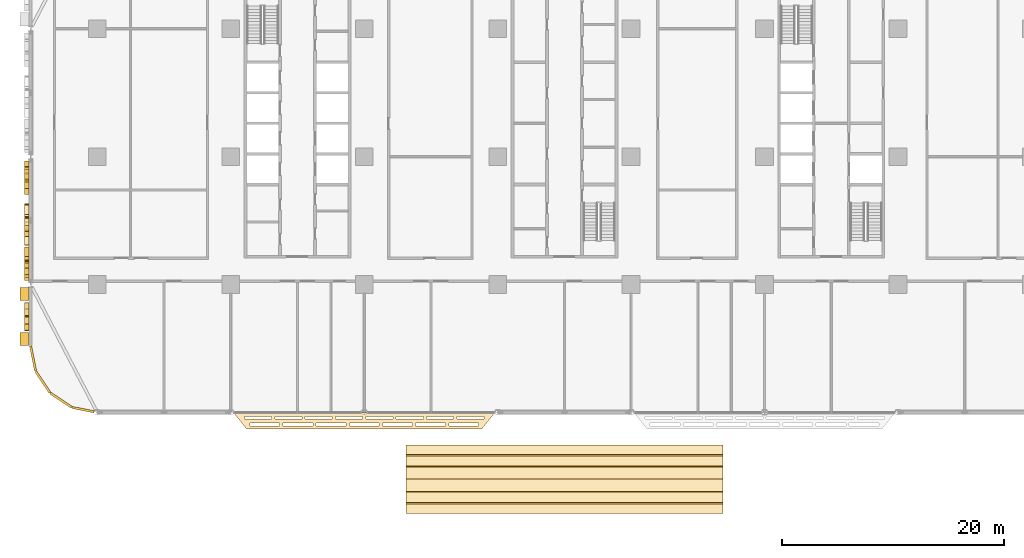
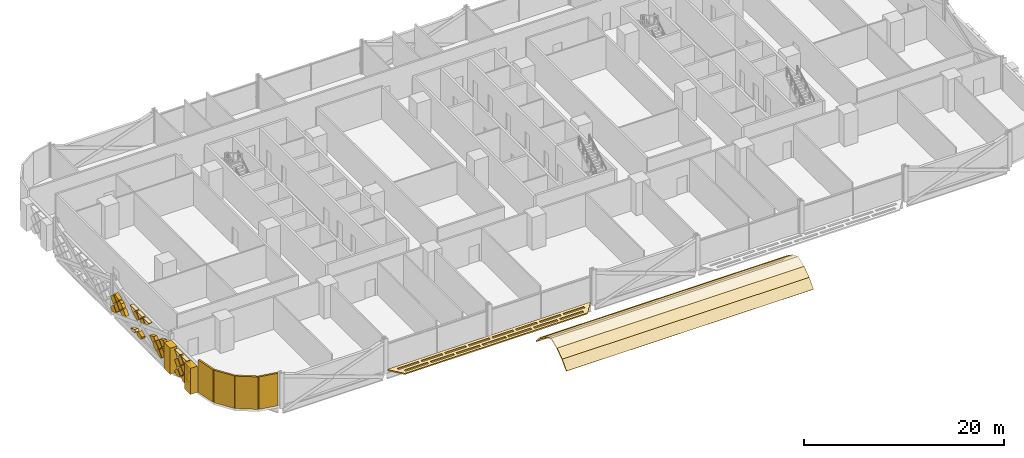
# One storey, part 21 of 26: 42 coverings.
"""IFC4 building model written with IfcOpenShell, lengths in metres."""

from ifc_helpers import new_model, si_unit, direction, frame, origin, origin_2d, place, context, subcontext, project, spatial, polyline, rectangle, outline, extrude, material, layer, layer_set, type_object, element, save


model = new_model("IFC4")

# Units and contexts
model_context = context("Model", 3, precision=1e-05, world=origin(), true_north=direction((0.0, 1.0)))
body_context = subcontext(model_context, "Body", "Model", "MODEL_VIEW")
ifc_project = project(units=[si_unit("LENGTHUNIT", "METRE"), si_unit("AREAUNIT", "SQUARE_METRE"), si_unit("VOLUMEUNIT", "CUBIC_METRE"), si_unit("PLANEANGLEUNIT", "RADIAN"), si_unit("MASSUNIT", "GRAM", prefix="KILO")], contexts=[model_context])

# Site, building, storey
site_placement = place(None, origin())
site = spatial("IfcSite", under=ifc_project, at=site_placement, CompositionType="ELEMENT")
building_placement = place(site_placement, origin())
building = spatial("IfcBuilding", under=site, at=building_placement, Name="Mahtab Terrace Research Tower", CompositionType="ELEMENT")
storey_placement = place(building_placement, frame((0.0, 0.0, 15.800048828125)))
storey = spatial("IfcBuildingStorey", under=building, at=storey_placement, Name="L03", CompositionType="ELEMENT", Elevation=15.800048828125)

# Coverings
ifc_material_1 = material(Name="Black aluminium cladding panel", Category="aluminium")
ifc_layer_1 = layer(ifc_material_1, 0.199951171875)
ifc_layer_set_1 = layer_set([ifc_layer_1], Name="Black metal corner cladding 200")
covering_type_1 = type_object("IfcCoveringType", Name="Black metal corner cladding 200", PredefinedType="CLADDING", material=ifc_layer_set_1)
for number, where, z_axis, x_axis, name in (
    (1, (-47.771484375, -18.14794921875, 0.0), (0.0, 0.0, 1.0), (0.195212442692, -0.980760981187, 0.0), "Corner cladding L03 18"),
    (2, (-46.89306640625, -20.26953125, 0.0), (0.0, 0.0, 1.0), (0.555291490808, -0.831655794326, 0.0), "Corner cladding L03 19"),
    (3, (-45.26953125, -21.89306640625, 0.0), (0.0, 0.0, 1.0), (0.831655794326, -0.555291490808, 0.0), "Corner cladding L03 20"),
):
    element("IfcCovering", number, at=place(storey_placement, frame(where, z_axis=z_axis, x_axis=x_axis)), inside=storey, type_object=covering_type_1, Name=name, PredefinedType="CLADDING", context=body_context, shape_type="SweptSolid", body=[
        extrude(rectangle(XDim=2.30126953125, YDim=0.199951171875, at=origin_2d()), origin(), (0.0, 0.0, 1.0), 3.9599609375),
    ])
covering_1_placement = place(storey_placement, frame((-43.28173828125, -22.744873046875, 0.0), z_axis=(0.0, 0.0, 1.0), x_axis=(0.980760981187, -0.195212442692, 0.0)))
element("IfcCovering", 4, at=covering_1_placement, inside=storey, type_object=covering_type_1, Name="Corner cladding L03 21", PredefinedType="CLADDING", context=body_context, shape_type="SweptSolid", body=[
    extrude(rectangle(XDim=2.0283203125, YDim=0.199951171875, at=origin_2d()), origin(), (0.0, 0.0, 1.0), 3.9599609375),
])
ifc_material_2 = material(Name="Black anodised aluminium", Category="aluminium")
ifc_layer_2 = layer(ifc_material_2, 0.14990234375)
ifc_layer_set_2 = layer_set([ifc_layer_2], Name="Horizontal sunshade band")
covering_type_2 = type_object("IfcCoveringType", Name="Horizontal sunshade band", PredefinedType="CLADDING", material=ifc_layer_set_2)
covering_2_placement = place(storey_placement, frame((0.0, 0.0, -0.150146484375)))
element("IfcCovering", 5, at=covering_2_placement, inside=storey, type_object=covering_type_2, Name="Sunshade band L03 23", PredefinedType="CLADDING", context=body_context, shape_type="SweptSolid", body=[
    extrude(outline(polyline([(-29.7509765625, -23.0), (-6.2490234375, -23.0), (-7.448974609375, -24.5), (-28.551025390625, -24.5), (-29.7509765625, -23.0)]), holes=[polyline([(-28.77099609375, -23.35009765625), (-26.341064453125, -23.35009765625), (-26.341064453125, -23.60009765625), (-28.77099609375, -23.60009765625), (-28.77099609375, -23.35009765625)]), polyline([(-26.041015625, -23.35009765625), (-23.611083984375, -23.35009765625), (-23.611083984375, -23.60009765625), (-26.041015625, -23.60009765625), (-26.041015625, -23.35009765625)]), polyline([(-23.31103515625, -23.35009765625), (-20.8798828125, -23.35009765625), (-20.8798828125, -23.60009765625), (-23.31103515625, -23.60009765625), (-23.31103515625, -23.35009765625)]), polyline([(-20.580078125, -23.35009765625), (-18.14990234375, -23.35009765625), (-18.14990234375, -23.60009765625), (-20.580078125, -23.60009765625), (-20.580078125, -23.35009765625)]), polyline([(-17.85009765625, -23.35009765625), (-15.419921875, -23.35009765625), (-15.419921875, -23.60009765625), (-17.85009765625, -23.60009765625), (-17.85009765625, -23.35009765625)]), polyline([(-15.1201171875, -23.35009765625), (-12.68994140625, -23.35009765625), (-12.68994140625, -23.60009765625), (-15.1201171875, -23.60009765625), (-15.1201171875, -23.35009765625)]), polyline([(-12.389892578125, -23.35009765625), (-9.958984375, -23.35009765625), (-9.958984375, -23.60009765625), (-12.389892578125, -23.60009765625), (-12.389892578125, -23.35009765625)]), polyline([(-9.658935546875, -23.35009765625), (-7.22900390625, -23.35009765625), (-7.22900390625, -23.60009765625), (-9.658935546875, -23.60009765625), (-9.658935546875, -23.35009765625)]), polyline([(-28.291015625, -23.949951171875), (-25.60791015625, -23.949951171875), (-25.60791015625, -24.199951171875), (-28.291015625, -24.199951171875), (-28.291015625, -23.949951171875)]), polyline([(-25.30810546875, -23.949951171875), (-22.625, -23.949951171875), (-22.625, -24.199951171875), (-25.30810546875, -24.199951171875), (-25.30810546875, -23.949951171875)]), polyline([(-22.324951171875, -23.949951171875), (-19.64208984375, -23.949951171875), (-19.64208984375, -24.199951171875), (-22.324951171875, -24.199951171875), (-22.324951171875, -23.949951171875)]), polyline([(-19.342041015625, -23.949951171875), (-16.657958984375, -23.949951171875), (-16.657958984375, -24.199951171875), (-19.342041015625, -24.199951171875), (-19.342041015625, -23.949951171875)]), polyline([(-16.35791015625, -23.949951171875), (-13.675048828125, -23.949951171875), (-13.675048828125, -24.199951171875), (-16.35791015625, -24.199951171875), (-16.35791015625, -23.949951171875)]), polyline([(-13.375, -23.949951171875), (-10.69189453125, -23.949951171875), (-10.69189453125, -24.199951171875), (-13.375, -24.199951171875), (-13.375, -23.949951171875)]), polyline([(-10.39208984375, -23.949951171875), (-7.708984375, -23.949951171875), (-7.708984375, -24.199951171875), (-10.39208984375, -24.199951171875), (-10.39208984375, -23.949951171875)])]), origin(), (0.0, 0.0, 1.0), 0.150146484375),
])
ifc_material_3 = material(Name="Bronze anodised aluminium", Category="aluminium")
ifc_layer_3 = layer(ifc_material_3, 0.39990234375)
ifc_layer_set_3 = layer_set([ifc_layer_3], Name="Mashrabiya relief panel 400")
covering_type_3 = type_object("IfcCoveringType", Name="Mashrabiya relief panel 400", PredefinedType="CLADDING", material=ifc_layer_set_3)
covering_3_placement = place(storey_placement, frame((-48.14990234375, -0.384033203125, 0.385009765625), z_axis=(1.0, 0.0, 0.0), x_axis=(0.0, 0.0, 1.0)))
element("IfcCovering", 6, at=covering_3_placement, inside=storey, type_object=covering_type_3, Name="Mashrabiya lattice cell L03 W16.1", PredefinedType="CLADDING", context=body_context, shape_type="SweptSolid", body=[
    extrude(outline(polyline([(0.0, 0.0), (0.1298828125, 0.0), (0.64501953125, 0.514892578125), (0.06494140625, 1.094970703125), (0.0, 1.030029296875), (-0.25, 0.362060546875), (-0.25, 0.25), (0.0, 0.0)])), origin(), (0.0, 0.0, -1.0), 0.39990234375),
])
covering_4_placement = place(storey_placement, frame((-48.14990234375, -0.89892578125, 2.329833984375), z_axis=(1.0, 0.0, 0.0), x_axis=(0.0, -0.707255598772, -0.706957932274)))
element("IfcCovering", 7, at=covering_4_placement, inside=storey, type_object=covering_type_3, Name="Mashrabiya lattice cell L03 W16.2", PredefinedType="CLADDING", context=body_context, shape_type="SweptSolid", body=[
    extrude(outline(polyline([(0.0, 0.0), (0.8201817362875763, 0.0), (0.8200090664636573, 0.8203543334390104), (0.0916684182924955, 0.820028397344618), (-0.0001532662704735177, 0.7281680510197277), (0.0, 0.0)])), origin(), (0.0, 0.0, -1.0), 0.39990234375),
])
covering_5_placement = place(storey_placement, frame((-48.14990234375, -1.549072265625, 1.679931640625), z_axis=(1.0, 0.0, 0.0), x_axis=(0.0, -0.706957932274, -0.707255598772)))
element("IfcCovering", 8, at=covering_5_placement, inside=storey, type_object=covering_type_3, Name="Mashrabiya lattice cell L03 W16.3", PredefinedType="CLADDING", context=body_context, shape_type="SweptSolid", body=[
    extrude(outline(polyline([(0.0, 0.0), (0.8201817362875763, 0.0), (0.8203543334390104, 0.8200090664636573), (0.00017266982391900276, 0.8203543334390104), (0.0, 0.0)])), origin(), (0.0, 0.0, -1.0), 0.39990234375),
])
covering_6_placement = place(storey_placement, frame((-48.14990234375, -1.549072265625, 1.820068359375), z_axis=(1.0, 0.0, 0.0), x_axis=(0.0, 0.707255598772, 0.706957932274)))
element("IfcCovering", 9, at=covering_6_placement, inside=storey, type_object=covering_type_3, Name="Mashrabiya lattice cell L03 W16.4", PredefinedType="CLADDING", context=body_context, shape_type="SweptSolid", body=[
    extrude(outline(polyline([(0.0, 0.0), (0.8201817362875763, 0.0), (0.8201287580461467, 0.2516996250324237), (-0.00013153719751402004, 0.6249332253891452), (0.0, 0.0)])), origin(), (0.0, 0.0, -1.0), 0.39990234375),
])
covering_7_placement = place(storey_placement, frame((-48.14990234375, -2.779052734375, 1.75), z_axis=(1.0, 0.0, 0.0), x_axis=(0.0, 0.707106781187, -0.707106781187)))
element("IfcCovering", 10, at=covering_7_placement, inside=storey, type_object=covering_type_3, Name="Mashrabiya lattice cell L03 W16.5", PredefinedType="CLADDING", context=body_context, shape_type="SweptSolid", body=[
    extrude(outline(polyline([(0.0, 0.0), (0.8203543516109556, 0.0), (0.8203543516109556, 0.8203543516109556), (0.1500185041140405, 0.820181718119455), (0.00017263349150062335, 0.49217808426827325), (0.0, 0.0)])), origin(), (0.0, 0.0, -1.0), 0.39990234375),
])
covering_8_placement = place(storey_placement, frame((-48.14990234375, -2.26904296875, 1.099853515625), z_axis=(1.0, 0.0, 0.0), x_axis=(0.0, -0.707106781187, 0.707106781187)))
element("IfcCovering", 11, at=covering_8_placement, inside=storey, type_object=covering_type_3, Name="Mashrabiya lattice cell L03 W16.6", PredefinedType="CLADDING", context=body_context, shape_type="SweptSolid", body=[
    extrude(outline(polyline([(0.0, 0.0), (0.8203543516109556, 0.0), (0.820181718119455, 0.7804760150743119), (0.0, 0.4070697729584666), (0.0, 0.0)])), origin(), (0.0, 0.0, -1.0), 0.39990234375),
])
covering_9_placement = place(storey_placement, frame((-48.14990234375, -4.339111328125, 0.329833984375), z_axis=(1.0, 0.0, 0.0), x_axis=(0.0, -0.936939642646, 0.349491210244)))
element("IfcCovering", 12, at=covering_9_placement, inside=storey, type_object=covering_type_3, Name="Mashrabiya lattice cell L03 W16.7", PredefinedType="CLADDING", context=body_context, shape_type="SweptSolid", body=[
    extrude(outline(polyline([(0.0, 0.0), (0.9018411268612947, 0.0), (1.0162049837573561, 0.2508566309202513), (0.6110546419046019, 0.4358684663201832), (0.11444918189856254, 0.2506278858903084), (0.0, 0.0)])), origin(), (0.0, 0.0, -1.0), 0.39990234375),
])
covering_10_placement = place(storey_placement, frame((-48.14990234375, -5.37890625, 3.050048828125), z_axis=(1.0, 0.0, 0.0), x_axis=(0.0, 0.706957932274, -0.707255598772)))
element("IfcCovering", 13, at=covering_10_placement, inside=storey, type_object=covering_type_3, Name="Mashrabiya lattice cell L03 W16.8", PredefinedType="CLADDING", context=body_context, shape_type="SweptSolid", body=[
    extrude(outline(polyline([(0.0, 0.0), (0.8201817362875763, 0.0), (0.8200090664636573, 0.8203543334390104), (0.7946319801114454, 0.8201763585237), (-5.30509139145055e-06, 0.02520448920077768), (0.0, 0.0)])), origin(), (0.0, 0.0, -1.0), 0.39990234375),
])
covering_11_placement = place(storey_placement, frame((-48.14990234375, -4.868896484375, 2.39990234375), z_axis=(1.0, 0.0, 0.0), x_axis=(0.0, -0.707106781187, 0.707106781187)))
element("IfcCovering", 14, at=covering_11_placement, inside=storey, type_object=covering_type_3, Name="Mashrabiya lattice cell L03 W16.9", PredefinedType="CLADDING", context=body_context, shape_type="SweptSolid", body=[
    extrude(outline(polyline([(0.0, 0.0), (0.8203543516109556, 0.0), (0.8203543516109556, 0.8203543516109556), (0.30694234788810587, 0.8203543516109555), (0.0, 0.14570266682652494), (0.0, 0.0)])), origin(), (0.0, 0.0, -1.0), 0.39990234375),
])
covering_12_placement = place(storey_placement, frame((-48.14990234375, -5.51904296875, 0.449951171875), z_axis=(1.0, 0.0, 0.0), x_axis=(0.0, -0.707106781187, 0.707106781187)))
element("IfcCovering", 15, at=covering_12_placement, inside=storey, type_object=covering_type_3, Name="Mashrabiya lattice cell L03 W16.10", PredefinedType="CLADDING", context=body_context, shape_type="SweptSolid", body=[
    extrude(outline(polyline([(0.0, 0.0), (0.5075424650118285, 0.0), (0.820181718119455, 0.685872861731971), (0.820181718119455, 0.820181718119455), (0.3747873100478503, 0.8201817181194551), (0.0, 0.4453944080716047), (0.0, 0.0)])), origin(), (0.0, 0.0, -1.0), 0.39990234375),
])
covering_13_placement = place(storey_placement, frame((-48.14990234375, -6.678955078125, 3.050048828125), z_axis=(1.0, 0.0, 0.0), x_axis=(0.0, 0.706957932274, -0.707255598772)))
element("IfcCovering", 16, at=covering_13_placement, inside=storey, type_object=covering_type_3, Name="Mashrabiya lattice cell L03 W16.11", PredefinedType="CLADDING", context=body_context, shape_type="SweptSolid", body=[
    extrude(outline(polyline([(0.0, 0.0), (0.8201817362875763, 0.0), (0.8200090664636573, 0.8203543334390104), (0.7946319801114454, 0.8201763585237), (0.00016729206004270115, 0.025377159024696644), (0.0, 0.0)])), origin(), (0.0, 0.0, -1.0), 0.39990234375),
])
covering_14_placement = place(storey_placement, frame((-48.14990234375, -6.1689453125, 2.39990234375), z_axis=(1.0, 0.0, 0.0), x_axis=(0.0, -0.707106781187, 0.707106781187)))
element("IfcCovering", 17, at=covering_14_placement, inside=storey, type_object=covering_type_3, Name="Mashrabiya lattice cell L03 W16.12", PredefinedType="CLADDING", context=body_context, shape_type="SweptSolid", body=[
    extrude(outline(polyline([(0.0, 0.0), (0.8203543516109556, 0.0), (0.8203543516109556, 0.6180278995722267), (0.00017263349150062335, 0.24462165745638131), (0.0, 0.0)])), origin(), (0.0, 0.0, -1.0), 0.39990234375),
])
covering_15_placement = place(storey_placement, frame((-48.14990234375, -6.819091796875, 3.050048828125), z_axis=(1.0, 0.0, 0.0), x_axis=(0.0, -0.707106781187, 0.707106781187)))
element("IfcCovering", 18, at=covering_15_placement, inside=storey, type_object=covering_type_3, Name="Mashrabiya lattice cell L03 W16.13", PredefinedType="CLADDING", context=body_context, shape_type="SweptSolid", body=[
    extrude(outline(polyline([(0.0, 0.0), (0.025204489759090808, 0.0), (0.8200090846279544, 0.7948045948688636), (0.820181718119455, 0.820181718119455), (0.3449217160182427, 0.8203543516109555), (0.0, 0.6632578743453896), (0.0, 0.0)])), origin(), (0.0, 0.0, -1.0), 0.39990234375),
])
covering_16_placement = place(storey_placement, frame((-48.14990234375, -9.279052734375, 1.75), z_axis=(1.0, 0.0, 0.0), x_axis=(0.0, 0.707106781187, -0.707106781187)))
element("IfcCovering", 19, at=covering_16_placement, inside=storey, type_object=covering_type_3, Name="Mashrabiya lattice cell L03 W16.14", PredefinedType="CLADDING", context=body_context, shape_type="SweptSolid", body=[
    extrude(outline(polyline([(0.0, 0.0), (0.8203543516109556, 0.0), (0.8203543516109555, 0.8131037449679295), (0.0, 0.4384890684115798), (0.0, 0.0)])), origin(), (0.0, 0.0, -1.0), 0.39990234375),
])
covering_17_placement = place(storey_placement, frame((-48.14990234375, -8.76904296875, 1.099853515625), z_axis=(1.0, 0.0, 0.0), x_axis=(0.0, -0.707106781187, 0.707106781187)))
element("IfcCovering", 20, at=covering_17_placement, inside=storey, type_object=covering_type_3, Name="Mashrabiya lattice cell L03 W16.15", PredefinedType="CLADDING", context=body_context, shape_type="SweptSolid", body=[
    extrude(outline(polyline([(0.0, 0.0), (0.8203543516109556, 0.0), (0.820181718119455, 0.820181718119455), (0.14432159889451995, 0.8200090846279544), (0.0, 0.5033992612158137), (0.0, 0.0)])), origin(), (0.0, 0.0, -1.0), 0.39990234375),
])
covering_18_placement = place(storey_placement, frame((-48.14990234375, -9.9990234375, 1.030029296875), z_axis=(1.0, 0.0, 0.0), x_axis=(0.0, -0.707106781187, -0.707106781187)))
element("IfcCovering", 21, at=covering_18_placement, inside=storey, type_object=covering_type_3, Name="Mashrabiya lattice cell L03 W16.16", PredefinedType="CLADDING", context=body_context, shape_type="SweptSolid", body=[
    extrude(outline(polyline([(0.0, 0.0), (0.8203543516109556, 0.0), (0.820181718119455, 0.2573965358274274), (0.0, 0.6308027779432727), (0.0, 0.0)])), origin(), (0.0, 0.0, -1.0), 0.39990234375),
])
covering_19_placement = place(storey_placement, frame((-48.14990234375, -9.9990234375, 2.329833984375), z_axis=(1.0, 0.0, 0.0), x_axis=(0.0, -0.707255598772, -0.706957932274)))
element("IfcCovering", 22, at=covering_19_placement, inside=storey, type_object=covering_type_3, Name="Mashrabiya lattice cell L03 W16.17", PredefinedType="CLADDING", context=body_context, shape_type="SweptSolid", body=[
    extrude(outline(polyline([(0.0, 0.0), (0.8201817362875763, 0.0), (0.8200090664636573, 0.8203543334390104), (-0.0003452669753531423, 0.8201816636150915), (0.0, 0.0)])), origin(), (0.0, 0.0, -1.0), 0.39990234375),
])
covering_20_placement = place(storey_placement, frame((-48.14990234375, -10.64892578125, 0.52001953125), z_axis=(1.0, 0.0, 0.0), x_axis=(0.0, 0.707106781187, 0.707106781187)))
element("IfcCovering", 23, at=covering_20_placement, inside=storey, type_object=covering_type_3, Name="Mashrabiya lattice cell L03 W16.18", PredefinedType="CLADDING", context=body_context, shape_type="SweptSolid", body=[
    extrude(outline(polyline([(0.0, 0.0), (0.8200090846279543, 0.0), (0.820181718119455, 0.820181718119455), (0.1596859796380753, 0.820181718119455), (0.0, 0.6604957384813797), (0.0, 0.0)])), origin(), (0.0, 0.0, -1.0), 0.39990234375),
])
covering_21_placement = place(storey_placement, frame((-48.14990234375, -10.64892578125, 1.820068359375), z_axis=(1.0, 0.0, 0.0), x_axis=(0.0, 0.707106781187, 0.707106781187)))
element("IfcCovering", 24, at=covering_21_placement, inside=storey, type_object=covering_type_3, Name="Mashrabiya lattice cell L03 W16.19", PredefinedType="CLADDING", context=body_context, shape_type="SweptSolid", body=[
    extrude(outline(polyline([(0.0, 0.0), (0.8200090846279543, 0.0), (0.8200090846279544, 0.16262074899358586), (0.5203173433828746, 0.8203543516109556), (0.1596859796380753, 0.820181718119455), (-0.0001726334915006511, 0.660323104989879), (0.0, 0.0)])), origin(), (0.0, 0.0, -1.0), 0.39990234375),
])
covering_22_placement = place(storey_placement, frame((-48.14990234375, -13.118896484375, 0.449951171875), z_axis=(1.0, 0.0, 0.0), x_axis=(0.0, -0.707106781187, 0.707106781187)))
element("IfcCovering", 25, at=covering_22_placement, inside=storey, type_object=covering_type_3, Name="Mashrabiya lattice cell L03 W17.1", PredefinedType="CLADDING", context=body_context, shape_type="SweptSolid", body=[
    extrude(outline(polyline([(0.0, 0.0), (0.8203543516109556, 0.0), (0.8203543516109556, 0.8203543516109556), (0.37495994353935086, 0.8203543516109555), (0.00017263349150062335, 0.44556704156310534), (0.0, 0.0)])), origin(), (0.0, 0.0, -1.0), 0.39990234375),
])
covering_23_placement = place(storey_placement, frame((-48.14990234375, -13.698974609375, 2.329833984375), z_axis=(1.0, 0.0, 0.0), x_axis=(0.0, -0.707255598772, -0.706957932274)))
element("IfcCovering", 26, at=covering_23_placement, inside=storey, type_object=covering_type_3, Name="Mashrabiya lattice cell L03 W17.2", PredefinedType="CLADDING", context=body_context, shape_type="SweptSolid", body=[
    extrude(outline(polyline([(0.0, 0.0), (0.8201817362875763, 0.0), (0.8200090664636573, 0.8203543334390104), (-0.0003452669753531423, 0.8201816636150915), (0.0, 0.0)])), origin(), (0.0, 0.0, -1.0), 0.39990234375),
])
covering_24_placement = place(storey_placement, frame((-48.14990234375, -14.279052734375, 3.050048828125), z_axis=(1.0, 0.0, 0.0), x_axis=(0.0, 0.707106781187, -0.707106781187)))
element("IfcCovering", 27, at=covering_24_placement, inside=storey, type_object=covering_type_3, Name="Mashrabiya lattice cell L03 W17.3", PredefinedType="CLADDING", context=body_context, shape_type="SweptSolid", body=[
    extrude(outline(polyline([(0.0, 0.0), (0.8203543516109556, 0.0), (0.8203543516109556, 0.8203543516109556), (0.7949772283603641, 0.820181718119455), (0.00017263349150062161, 0.02537712325059143), (0.0, 0.0)])), origin(), (0.0, 0.0, -1.0), 0.39990234375),
])
for number, where, z_axis, x_axis, name in (
    (28, (-48.14990234375, -14.34912109375, 1.679931640625), (1.0, 0.0, 0.0), (0.0, -0.706957932274, -0.707255598772), "Mashrabiya lattice cell L03 W17.4"),
    (29, (-48.14990234375, -14.34912109375, 2.97998046875), (1.0, 0.0, 0.0), (0.0, -0.706957932274, -0.707255598772), "Mashrabiya lattice cell L03 W17.5"),
):
    element("IfcCovering", number, at=place(storey_placement, frame(where, z_axis=z_axis, x_axis=x_axis)), inside=storey, type_object=covering_type_3, Name=name, PredefinedType="CLADDING", context=body_context, shape_type="SweptSolid", body=[
        extrude(outline(polyline([(0.0, 0.0), (0.8201817362875763, 0.0), (0.8203543334390104, 0.8200090664636573), (0.00017266982391900276, 0.8203543334390104), (0.0, 0.0)])), origin(), (0.0, 0.0, -1.0), 0.39990234375),
    ])
covering_25_placement = place(storey_placement, frame((-48.14990234375, -14.4189453125, 0.449951171875), z_axis=(1.0, 0.0, 0.0), x_axis=(0.0, -0.707106781187, 0.707106781187)))
element("IfcCovering", 30, at=covering_25_placement, inside=storey, type_object=covering_type_3, Name="Mashrabiya lattice cell L03 W17.6", PredefinedType="CLADDING", context=body_context, shape_type="SweptSolid", body=[
    extrude(outline(polyline([(0.0, 0.0), (0.8203543516109556, 0.0), (0.8203543516109556, 0.8203543516109556), (0.3747873100478503, 0.8201817181194551), (0.0, 0.4453944080716047), (0.0, 0.0)])), origin(), (0.0, 0.0, -1.0), 0.39990234375),
])
covering_26_placement = place(storey_placement, frame((-48.14990234375, -14.9990234375, 2.329833984375), z_axis=(1.0, 0.0, 0.0), x_axis=(0.0, -0.707255598772, -0.706957932274)))
element("IfcCovering", 31, at=covering_26_placement, inside=storey, type_object=covering_type_3, Name="Mashrabiya lattice cell L03 W17.7", PredefinedType="CLADDING", context=body_context, shape_type="SweptSolid", body=[
    extrude(outline(polyline([(0.0, 0.0), (0.8201817362875763, 0.0), (0.8200090664636573, 0.8203543334390104), (-0.0003452669753531423, 0.8201816636150915), (0.0, 0.0)])), origin(), (0.0, 0.0, -1.0), 0.39990234375),
])
covering_27_placement = place(storey_placement, frame((-48.14990234375, -15.5791015625, 3.050048828125), z_axis=(1.0, 0.0, 0.0), x_axis=(0.0, 0.707106781187, -0.707106781187)))
element("IfcCovering", 32, at=covering_27_placement, inside=storey, type_object=covering_type_3, Name="Mashrabiya lattice cell L03 W17.8", PredefinedType="CLADDING", context=body_context, shape_type="SweptSolid", body=[
    extrude(outline(polyline([(0.0, 0.0), (0.8203543516109556, 0.0), (0.8203543516109556, 0.8203543516109556), (0.7949772283603641, 0.820181718119455), (0.00017263349150062161, 0.02537712325059143), (0.0, 0.0)])), origin(), (0.0, 0.0, -1.0), 0.39990234375),
])
covering_28_placement = place(storey_placement, frame((-48.14990234375, -15.64892578125, 0.52001953125), z_axis=(1.0, 0.0, 0.0), x_axis=(0.0, 0.707106781187, 0.707106781187)))
element("IfcCovering", 33, at=covering_28_placement, inside=storey, type_object=covering_type_3, Name="Mashrabiya lattice cell L03 W17.9", PredefinedType="CLADDING", context=body_context, shape_type="SweptSolid", body=[
    extrude(outline(polyline([(0.0, 0.0), (0.8200090846279543, 0.0), (0.820181718119455, 0.820181718119455), (0.7975667307328734, 0.8203543516109556), (-0.00017263349150062161, 0.022614987386581478), (0.0, 0.0)])), origin(), (0.0, 0.0, -1.0), 0.39990234375),
])
covering_29_placement = place(storey_placement, frame((-48.14990234375, -15.64892578125, 1.820068359375), z_axis=(1.0, 0.0, 0.0), x_axis=(0.0, 0.707106781187, 0.707106781187)))
element("IfcCovering", 34, at=covering_29_placement, inside=storey, type_object=covering_type_3, Name="Mashrabiya lattice cell L03 W17.10", PredefinedType="CLADDING", context=body_context, shape_type="SweptSolid", body=[
    extrude(outline(polyline([(0.0, 0.0), (0.8200090846279543, 0.0), (0.820181718119455, 0.820181718119455), (0.7973940972413728, 0.820181718119455), (-0.00017263349150062161, 0.022614987386581478), (0.0, 0.0)])), origin(), (0.0, 0.0, -1.0), 0.39990234375),
])
ifc_material_4 = material(Name="Glazed turquoise tile", Category="masonry")
ifc_layer_4 = layer(ifc_material_4, 0.14990234375)
ifc_layer_set_4 = layer_set([ifc_layer_4], Name="Pavilion vault tile shell 150")
covering_type_4 = type_object("IfcCoveringType", Name="Pavilion vault tile shell 150", PredefinedType="ROOFING", material=ifc_layer_set_4)
covering_30_placement = place(storey_placement, frame((-14.25, -32.071044921875, -0.1279296875), z_axis=(0.0, -0.733362397736, 0.679837917145), x_axis=(1.0, 0.0, 0.0)))
element("IfcCovering", 35, at=covering_30_placement, inside=storey, type_object=covering_type_4, Name="Pavilion vault course S4", PredefinedType="ROOFING", context=body_context, shape_type="SweptSolid", body=[
    extrude(outline(polyline([(0.0, 0.0), (28.5, 0.0), (28.5, 1.2680383443389747), (0.0, 1.2680383443389747), (0.0, 0.0)])), origin(), (0.0, 0.0, -1.0), 0.14990234375),
])
covering_31_placement = place(storey_placement, frame((-14.25, -31.208984375, 0.802001953125), z_axis=(0.0, -0.572660562042, 0.819792583939), x_axis=(1.0, 0.0, 0.0)))
element("IfcCovering", 36, at=covering_31_placement, inside=storey, type_object=covering_type_4, Name="Pavilion vault course S5", PredefinedType="ROOFING", context=body_context, shape_type="SweptSolid", body=[
    extrude(outline(polyline([(0.0, 0.0), (28.5, 0.0), (28.5, 1.2674699922353956), (0.0, 1.2674699922353956), (0.0, 0.0)])), origin(), (0.0, 0.0, -1.0), 0.14990234375),
])
covering_32_placement = place(storey_placement, frame((-14.25, -30.169921875, 1.52783203125), z_axis=(0.0, -0.386473218715, 0.922300629522), x_axis=(1.0, 0.0, 0.0)))
element("IfcCovering", 37, at=covering_32_placement, inside=storey, type_object=covering_type_4, Name="Pavilion vault course S6", PredefinedType="ROOFING", context=body_context, shape_type="SweptSolid", body=[
    extrude(outline(polyline([(0.0, 0.0), (28.5, 0.0), (28.5, 1.268482138634658), (0.0, 1.268482138634658), (0.0, 0.0)])), origin(), (0.0, 0.0, -1.0), 0.14990234375),
])
covering_33_placement = place(storey_placement, frame((-14.25, -26.791015625, 0.802001953125), z_axis=(0.0, 0.733362397736, 0.679837917145), x_axis=(1.0, 0.0, 0.0)))
element("IfcCovering", 38, at=covering_33_placement, inside=storey, type_object=covering_type_4, Name="Pavilion vault course N4", PredefinedType="ROOFING", context=body_context, shape_type="SweptSolid", body=[
    extrude(outline(polyline([(0.0, 0.0), (28.5, 0.0), (28.5, 1.2680383443389747), (0.0, 1.2680383443389747), (0.0, 0.0)])), origin(), (0.0, 0.0, -1.0), 0.14990234375),
])
covering_34_placement = place(storey_placement, frame((-14.25, -27.830078125, 1.52783203125), z_axis=(0.0, 0.572660562042, 0.819792583939), x_axis=(1.0, 0.0, 0.0)))
element("IfcCovering", 39, at=covering_34_placement, inside=storey, type_object=covering_type_4, Name="Pavilion vault course N5", PredefinedType="ROOFING", context=body_context, shape_type="SweptSolid", body=[
    extrude(outline(polyline([(0.0, 0.0), (28.5, 0.0), (28.5, 1.2674699922353956), (0.0, 1.2674699922353956), (0.0, 0.0)])), origin(), (0.0, 0.0, -1.0), 0.14990234375),
])
covering_35_placement = place(storey_placement, frame((-14.25, -29.0, 2.01806640625), z_axis=(0.0, 0.386473218715, 0.922300629522), x_axis=(1.0, 0.0, 0.0)))
element("IfcCovering", 40, at=covering_35_placement, inside=storey, type_object=covering_type_4, Name="Pavilion vault course N6", PredefinedType="ROOFING", context=body_context, shape_type="SweptSolid", body=[
    extrude(outline(polyline([(0.0, 0.0), (28.5, 0.0), (28.5, 1.268482138634658), (0.0, 1.268482138634658), (0.0, 0.0)])), origin(), (0.0, 0.0, -1.0), 0.14990234375),
])
ifc_material_5 = material(Name="Glazed ceramic tile cladding", Category="masonry")
ifc_layer_5 = layer(ifc_material_5, 0.800048828125)
ifc_layer_set_5 = layer_set([ifc_layer_5], Name="Pishtaq frame pier 800")
covering_type_5 = type_object("IfcCoveringType", Name="Pishtaq frame pier 800", PredefinedType="CLADDING", material=ifc_layer_set_5)
for number, where, z_axis, x_axis, name in (
    (41, (-48.550048828125, -12.34912109375, 0.00048828125), (0.0, 0.0, 1.0), (0.0, -1.0, 0.0), "Pishtaq frame pier 17a"),
    (42, (-48.550048828125, -16.39990234375, 0.00048828125), (0.0, 0.0, 1.0), (0.0, -1.0, 0.0), "Pishtaq frame pier 17b"),
):
    element("IfcCovering", number, at=place(storey_placement, frame(where, z_axis=z_axis, x_axis=x_axis)), inside=storey, type_object=covering_type_5, Name=name, PredefinedType="CLADDING", context=body_context, shape_type="SweptSolid", body=[
        extrude(rectangle(XDim=1.199951171875, YDim=0.800048828125, at=origin_2d()), origin(), (0.0, 0.0, 1.0), 3.202880859375),
    ])

save(model, "model.ifc")
